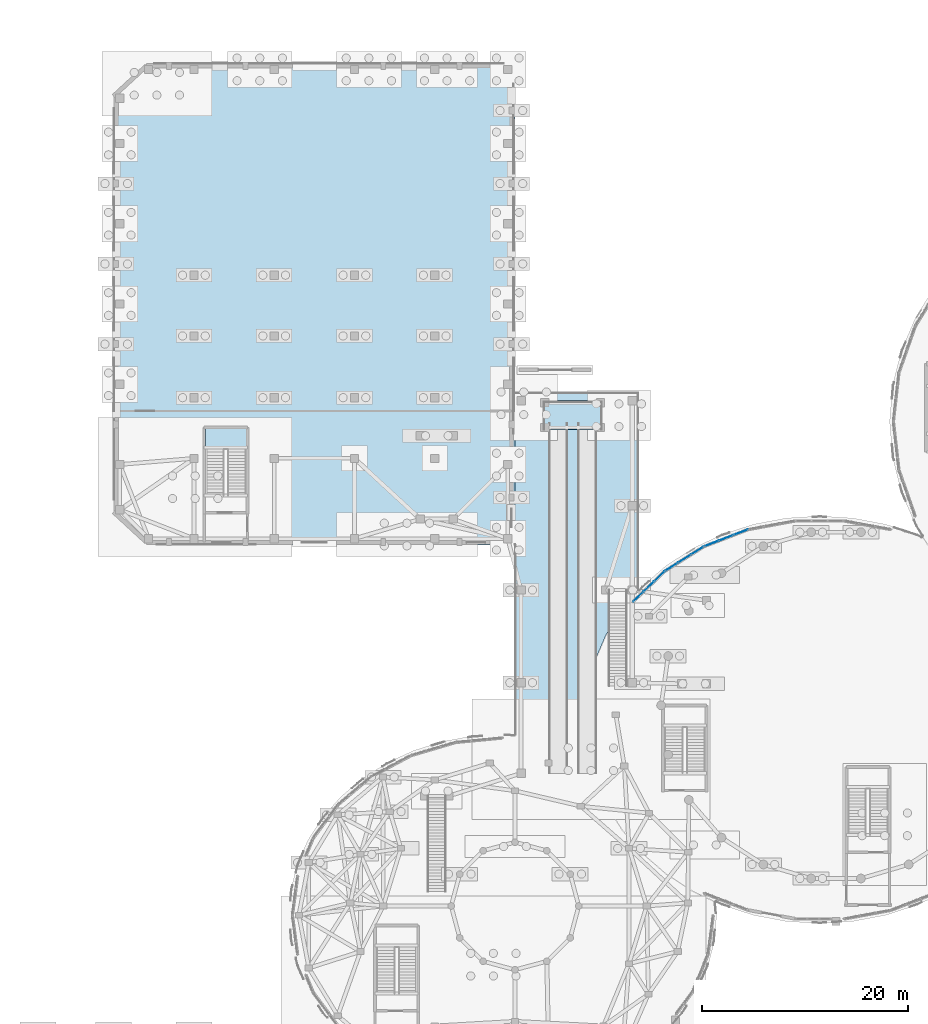
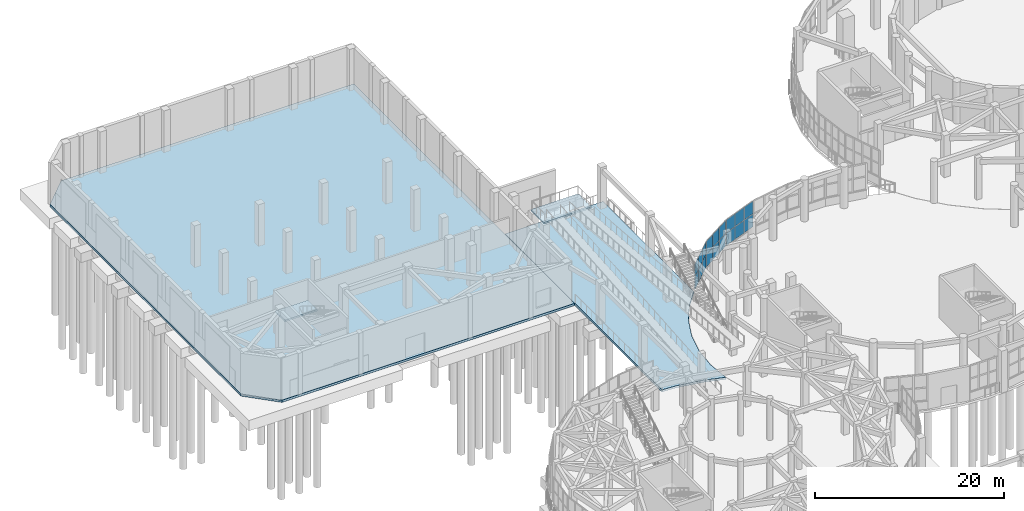
# One storey, part 64 of 96: 18 plates, 4 slabs, 5 elements without a shape of their own.
"""IFC4 building model written with IfcOpenShell, lengths in metres."""

from ifc_helpers import new_model, si_unit, direction, frame, origin, origin_2d, place, context, subcontext, project, spatial, polyline, rectangle, outline, extrude, material, layer, layer_set, type_object, element, aggregate, save


model = new_model("IFC4")

# Units and contexts
model_context = context("Model", 3, precision=1e-05, world=origin(), true_north=direction((0.0, 1.0)))
body_context = subcontext(model_context, "Body", "Model", "MODEL_VIEW")
ifc_project = project(units=[si_unit("LENGTHUNIT", "METRE"), si_unit("AREAUNIT", "SQUARE_METRE"), si_unit("VOLUMEUNIT", "CUBIC_METRE"), si_unit("PLANEANGLEUNIT", "RADIAN"), si_unit("MASSUNIT", "GRAM", prefix="KILO")], contexts=[model_context])

# Site, building, storey
site_placement = place(None, origin())
site = spatial("IfcSite", under=ifc_project, at=site_placement, CompositionType="ELEMENT")
building_placement = place(site_placement, origin())
building = spatial("IfcBuilding", under=site, at=building_placement, Name="Pelvatis Terrace Science Centre", CompositionType="ELEMENT")
storey_placement = place(building_placement, origin())
storey = spatial("IfcBuildingStorey", under=building, at=storey_placement, Name="L00", CompositionType="ELEMENT", Elevation=0.0)

# Curtain wall, plates
ifc_material_1 = material(Name="Bronze-anodised aluminium and laminated glass", Category="aluminium")
ifc_layer_1 = layer(ifc_material_1, 0.199951171875)
ifc_layer_set_1 = layer_set([ifc_layer_1], Name="Bronze-anodised aluminium and laminated glass")
curtain_wall_type = type_object("IfcCurtainWallType", Name="CW-RIBBON-B", PredefinedType="NOTDEFINED", material=ifc_layer_set_1)
curtain_wall_1_placement = place(storey_placement, origin())
curtain_wall_1 = element("IfcCurtainWall", 1, at=curtain_wall_1_placement, inside=storey, type_object=curtain_wall_type, Name="Ribbon curtain wall CW-048 (L00)", PredefinedType="NOTDEFINED")
ifc_material_2 = material(Name="Low-e laminated solar-control double glazing", Category="glass")
ifc_layer_2 = layer(ifc_material_2, 0.031982421875)
ifc_layer_set_2 = layer_set([ifc_layer_2], Name="Low-e laminated solar-control double glazing")
plate_type = type_object("IfcPlateType", Name="CWP-IGU-32", PredefinedType="CURTAIN_PANEL", material=ifc_layer_set_2)
plate_1_placement = place(storey_placement, frame((68.73291015625, 71.41650390625, 1.0849609375), z_axis=(0.0, 0.0, 1.0), x_axis=(-0.933000823352, -0.359874233065, 0.0)))
plate_1 = element("IfcPlate", 2, at=plate_1_placement, type_object=plate_type, Name="CW-048 panel 1.1", PredefinedType="CURTAIN_PANEL", context=body_context, shape_type="SweptSolid", body=[
    extrude(rectangle(XDim=1.434326171875, YDim=0.031982421875, at=origin_2d()), origin(), (0.0, 0.0, 1.0), 1.62255859375),
])
plate_2_placement = place(storey_placement, frame((68.73291015625, 71.41650390625, 2.7724609375), z_axis=(0.0, 0.0, 1.0), x_axis=(-0.933000823352, -0.359874233065, 0.0)))
plate_2 = element("IfcPlate", 3, at=plate_2_placement, type_object=plate_type, Name="CW-048 panel 1.2", PredefinedType="CURTAIN_PANEL", context=body_context, shape_type="SweptSolid", body=[
    extrude(rectangle(XDim=1.434326171875, YDim=0.031982421875, at=origin_2d()), origin(), (0.0, 0.0, 1.0), 1.62255859375),
])
plate_3_placement = place(storey_placement, frame((67.31884765625, 70.87109375, 1.0849609375), z_axis=(0.0, 0.0, 1.0), x_axis=(-0.933000823352, -0.359874233065, 0.0)))
plate_3 = element("IfcPlate", 4, at=plate_3_placement, type_object=plate_type, Name="CW-048 panel 2.1", PredefinedType="CURTAIN_PANEL", context=body_context, shape_type="SweptSolid", body=[
    extrude(rectangle(XDim=1.466796875, YDim=0.031982421875, at=origin_2d()), origin(), (0.0, 0.0, 1.0), 1.62255859375),
])
plate_4_placement = place(storey_placement, frame((67.31884765625, 70.87109375, 2.7724609375), z_axis=(0.0, 0.0, 1.0), x_axis=(-0.933000823352, -0.359874233065, 0.0)))
plate_4 = element("IfcPlate", 5, at=plate_4_placement, type_object=plate_type, Name="CW-048 panel 2.2", PredefinedType="CURTAIN_PANEL", context=body_context, shape_type="SweptSolid", body=[
    extrude(rectangle(XDim=1.466796875, YDim=0.031982421875, at=origin_2d()), origin(), (0.0, 0.0, 1.0), 1.62255859375),
])
plate_5_placement = place(storey_placement, frame((65.90478515625, 70.32568359375, 1.0849609375), z_axis=(0.0, 0.0, 1.0), x_axis=(-0.933000823352, -0.359874233065, 0.0)))
plate_5 = element("IfcPlate", 6, at=plate_5_placement, type_object=plate_type, Name="CW-048 panel 3.1", PredefinedType="CURTAIN_PANEL", context=body_context, shape_type="SweptSolid", body=[
    extrude(rectangle(XDim=1.434326171875, YDim=0.031982421875, at=origin_2d()), origin(), (0.0, 0.0, 1.0), 1.62255859375),
])
plate_6_placement = place(storey_placement, frame((65.90478515625, 70.32568359375, 2.7724609375), z_axis=(0.0, 0.0, 1.0), x_axis=(-0.933000823352, -0.359874233065, 0.0)))
plate_6 = element("IfcPlate", 7, at=plate_6_placement, type_object=plate_type, Name="CW-048 panel 3.2", PredefinedType="CURTAIN_PANEL", context=body_context, shape_type="SweptSolid", body=[
    extrude(rectangle(XDim=1.434326171875, YDim=0.031982421875, at=origin_2d()), origin(), (0.0, 0.0, 1.0), 1.62255859375),
])
aggregate(curtain_wall_1, [plate_1, plate_2, plate_3, plate_4, plate_5, plate_6])

curtain_wall_2_placement = place(storey_placement, origin())
curtain_wall_2 = element("IfcCurtainWall", 8, at=curtain_wall_2_placement, inside=storey, type_object=curtain_wall_type, Name="Ribbon curtain wall CW-049 (L00)", PredefinedType="NOTDEFINED")
plate_7_placement = place(storey_placement, frame((64.5283203125, 69.63720703125, 1.0849609375), z_axis=(0.0, 0.0, 1.0), x_axis=(-0.846303552317, -0.532700945499, 0.0)))
plate_7 = element("IfcPlate", 9, at=plate_7_placement, type_object=plate_type, Name="CW-049 panel 1.1", PredefinedType="CURTAIN_PANEL", context=body_context, shape_type="SweptSolid", body=[
    extrude(rectangle(XDim=1.39794921875, YDim=0.031982421875, at=origin_2d()), origin(), (0.0, 0.0, 1.0), 1.62255859375),
])
plate_8_placement = place(storey_placement, frame((64.5283203125, 69.63720703125, 2.7724609375), z_axis=(0.0, 0.0, 1.0), x_axis=(-0.846303552317, -0.532700945499, 0.0)))
plate_8 = element("IfcPlate", 10, at=plate_8_placement, type_object=plate_type, Name="CW-049 panel 1.2", PredefinedType="CURTAIN_PANEL", context=body_context, shape_type="SweptSolid", body=[
    extrude(rectangle(XDim=1.39794921875, YDim=0.031982421875, at=origin_2d()), origin(), (0.0, 0.0, 1.0), 1.62255859375),
])
plate_9_placement = place(storey_placement, frame((63.276611328125, 68.84912109375, 1.0849609375), z_axis=(0.0, 0.0, 1.0), x_axis=(-0.846303552317, -0.532700945499, 0.0)))
plate_9 = element("IfcPlate", 11, at=plate_9_placement, type_object=plate_type, Name="CW-049 panel 2.1", PredefinedType="CURTAIN_PANEL", context=body_context, shape_type="SweptSolid", body=[
    extrude(rectangle(XDim=1.430419921875, YDim=0.031982421875, at=origin_2d()), origin(), (0.0, 0.0, 1.0), 1.62255859375),
])
plate_10_placement = place(storey_placement, frame((63.276611328125, 68.84912109375, 2.7724609375), z_axis=(0.0, 0.0, 1.0), x_axis=(-0.846303552317, -0.532700945499, 0.0)))
plate_10 = element("IfcPlate", 12, at=plate_10_placement, type_object=plate_type, Name="CW-049 panel 2.2", PredefinedType="CURTAIN_PANEL", context=body_context, shape_type="SweptSolid", body=[
    extrude(rectangle(XDim=1.430419921875, YDim=0.031982421875, at=origin_2d()), origin(), (0.0, 0.0, 1.0), 1.62255859375),
])
plate_11_placement = place(storey_placement, frame((62.024658203125, 68.061279296875, 1.0849609375), z_axis=(0.0, 0.0, 1.0), x_axis=(-0.846303552317, -0.532700945499, 0.0)))
plate_11 = element("IfcPlate", 13, at=plate_11_placement, type_object=plate_type, Name="CW-049 panel 3.1", PredefinedType="CURTAIN_PANEL", context=body_context, shape_type="SweptSolid", body=[
    extrude(rectangle(XDim=1.39794921875, YDim=0.031982421875, at=origin_2d()), origin(), (0.0, 0.0, 1.0), 1.62255859375),
])
plate_12_placement = place(storey_placement, frame((62.024658203125, 68.061279296875, 2.7724609375), z_axis=(0.0, 0.0, 1.0), x_axis=(-0.846303552317, -0.532700945499, 0.0)))
plate_12 = element("IfcPlate", 14, at=plate_12_placement, type_object=plate_type, Name="CW-049 panel 3.2", PredefinedType="CURTAIN_PANEL", context=body_context, shape_type="SweptSolid", body=[
    extrude(rectangle(XDim=1.39794921875, YDim=0.031982421875, at=origin_2d()), origin(), (0.0, 0.0, 1.0), 1.62255859375),
])
aggregate(curtain_wall_2, [plate_7, plate_8, plate_9, plate_10, plate_11, plate_12])

curtain_wall_3_placement = place(storey_placement, origin())
curtain_wall_3 = element("IfcCurtainWall", 15, at=curtain_wall_3_placement, inside=storey, type_object=curtain_wall_type, Name="Ribbon curtain wall CW-050 (L00)", PredefinedType="NOTDEFINED")
plate_13_placement = place(storey_placement, frame((60.8427734375, 67.139404296875, 1.0849609375), z_axis=(0.0, 0.0, 1.0), x_axis=(-0.720582574301, -0.693369132291, 0.0)))
plate_13 = element("IfcPlate", 16, at=plate_13_placement, type_object=plate_type, Name="CW-050 panel 1.1", PredefinedType="CURTAIN_PANEL", context=body_context, shape_type="SweptSolid", body=[
    extrude(rectangle(XDim=1.355224609375, YDim=0.031982421875, at=origin_2d()), origin(), (0.0, 0.0, 1.0), 1.62255859375),
])
plate_14_placement = place(storey_placement, frame((60.8427734375, 67.139404296875, 2.7724609375), z_axis=(0.0, 0.0, 1.0), x_axis=(-0.720582574301, -0.693369132291, 0.0)))
plate_14 = element("IfcPlate", 17, at=plate_14_placement, type_object=plate_type, Name="CW-050 panel 1.2", PredefinedType="CURTAIN_PANEL", context=body_context, shape_type="SweptSolid", body=[
    extrude(rectangle(XDim=1.355224609375, YDim=0.031982421875, at=origin_2d()), origin(), (0.0, 0.0, 1.0), 1.62255859375),
])
plate_15_placement = place(storey_placement, frame((59.807861328125, 66.143310546875, 1.0849609375), z_axis=(0.0, 0.0, 1.0), x_axis=(-0.720582574301, -0.693369132291, 0.0)))
plate_15 = element("IfcPlate", 18, at=plate_15_placement, type_object=plate_type, Name="CW-050 panel 2.1", PredefinedType="CURTAIN_PANEL", context=body_context, shape_type="SweptSolid", body=[
    extrude(rectangle(XDim=1.3876953125, YDim=0.031982421875, at=origin_2d()), origin(), (0.0, 0.0, 1.0), 1.62255859375),
])
plate_16_placement = place(storey_placement, frame((59.807861328125, 66.143310546875, 2.7724609375), z_axis=(0.0, 0.0, 1.0), x_axis=(-0.720582574301, -0.693369132291, 0.0)))
plate_16 = element("IfcPlate", 19, at=plate_16_placement, type_object=plate_type, Name="CW-050 panel 2.2", PredefinedType="CURTAIN_PANEL", context=body_context, shape_type="SweptSolid", body=[
    extrude(rectangle(XDim=1.3876953125, YDim=0.031982421875, at=origin_2d()), origin(), (0.0, 0.0, 1.0), 1.62255859375),
])
plate_17_placement = place(storey_placement, frame((58.772705078125, 65.147216796875, 1.0849609375), z_axis=(0.0, 0.0, 1.0), x_axis=(-0.720582574301, -0.693369132291, 0.0)))
plate_17 = element("IfcPlate", 20, at=plate_17_placement, type_object=plate_type, Name="CW-050 panel 3.1", PredefinedType="CURTAIN_PANEL", context=body_context, shape_type="SweptSolid", body=[
    extrude(rectangle(XDim=1.355224609375, YDim=0.031982421875, at=origin_2d()), origin(), (0.0, 0.0, 1.0), 1.62255859375),
])
plate_18_placement = place(storey_placement, frame((58.772705078125, 65.147216796875, 2.7724609375), z_axis=(0.0, 0.0, 1.0), x_axis=(-0.720582574301, -0.693369132291, 0.0)))
plate_18 = element("IfcPlate", 21, at=plate_18_placement, type_object=plate_type, Name="CW-050 panel 3.2", PredefinedType="CURTAIN_PANEL", context=body_context, shape_type="SweptSolid", body=[
    extrude(rectangle(XDim=1.355224609375, YDim=0.031982421875, at=origin_2d()), origin(), (0.0, 0.0, 1.0), 1.62255859375),
])
aggregate(curtain_wall_3, [plate_13, plate_14, plate_15, plate_16, plate_17, plate_18])

# Slabs
ifc_material_3 = material(Name="Concrete C35/45", Category="concrete")
ifc_layer_3 = layer(ifc_material_3, 0.2900390625)
ifc_layer_set_3 = layer_set([ifc_layer_3], Name="Concrete C35/45")
slab_type_1 = type_object("IfcSlabType", Name="SLB-BASE-290", PredefinedType="BASESLAB", material=ifc_layer_set_3)
slab_1_placement = place(storey_placement, frame((0.0, 0.0, -0.2900390625)))
element("IfcSlab", 22, at=slab_1_placement, inside=storey, type_object=slab_type_1, Name="L00 Science Theatre stage and foyer slab", PredefinedType="BASESLAB", context=body_context, shape_type="SweptSolid", body=[
    extrude(outline(polyline([(7.800048828125, 73.39990234375), (7.800048828125, 113.800048828125), (11.0, 117.0), (46.800048828125, 117.0), (46.780029296875, 70.199951171875), (11.0, 70.199951171875), (7.800048828125, 73.39990234375)])), origin(), (0.0, 0.0, 1.0), 0.2900390625),
])
ifc_material_4 = material(Name="Concrete C35/45", Category="concrete")
ifc_layer_4 = layer(ifc_material_4, 0.27197265625)
ifc_layer_set_4 = layer_set([ifc_layer_4], Name="Concrete C35/45")
slab_type_2 = type_object("IfcSlabType", Name="SLB-FLR-272", PredefinedType="FLOOR", material=ifc_layer_set_4)
slab_2_placement = place(storey_placement, frame((0.0, 0.0, -0.27197265625)))
element("IfcSlab", 23, at=slab_2_placement, inside=storey, type_object=slab_type_2, Name="L00 Covered Public Science Passage slab", PredefinedType="FLOOR", context=body_context, shape_type="SweptSolid", body=[
    extrude(outline(polyline([(46.800048828125, 85.0), (58.800048828125, 85.0), (58.800048828125, 65.768798828125), (57.203369140625, 63.91650390625), (55.6435546875, 61.435791015625), (54.504638671875, 58.78466796875), (53.8125, 56.02099609375), (53.580078125, 53.20166015625), (53.81591796875, 50.364501953125), (51.463623046875, 51.106689453125), (48.563720703125, 51.640625), (46.800048828125, 51.747314453125), (46.800048828125, 85.0)])), origin(), (0.0, 0.0, 1.0), 0.27197265625),
])

# Ramp, slab
ifc_material_5 = material(Name="Concrete C35/45", Category="concrete")
ramp_placement = place(storey_placement, origin())
ramp = element("IfcRamp", 24, at=ramp_placement, inside=storey, material=ifc_material_5, Name="Accessible Hillside Terrace Ramp RMP-P1", PredefinedType="STRAIGHT_RUN_RAMP")
ifc_material_6 = material(Name="Concrete C35/45", Category="concrete")
ifc_layer_5 = layer(ifc_material_6, 0.215087890625)
ifc_layer_set_5 = layer_set([ifc_layer_5], Name="Concrete C35/45")
slab_type_3 = type_object("IfcSlabType", Name="SLB-LND-215", PredefinedType="LANDING", material=ifc_layer_set_5)
slab_3_placement = place(storey_placement, frame((0.0, 0.0, 2.485107421875)))
slab_3 = element("IfcSlab", 25, at=slab_3_placement, inside=storey, type_object=slab_type_3, Name="Accessible ramp intermediate landing", PredefinedType="LANDING", context=body_context, shape_type="SweptSolid", body=[
    extrude(outline(polyline([(49.5, 81.39990234375), (55.300048828125, 81.39990234375), (55.300048828125, 84.199951171875), (49.5, 84.199951171875), (49.5, 81.39990234375)])), origin(), (0.0, 0.0, 1.0), 0.21484375),
])
aggregate(ramp, [slab_3])

# Stair, slab
ifc_material_7 = material(Name="Concrete C35/45", Category="concrete")
stair_type = type_object("IfcStairType", Name="STR-2RUN-1650-54", PredefinedType="TWO_STRAIGHT_RUN_STAIR", material=ifc_material_7)
stair_placement = place(storey_placement, origin())
stair = element("IfcStair", 26, at=stair_placement, inside=storey, type_object=stair_type, Name="Protected exit stair ST-07-L00", PredefinedType="TWO_STRAIGHT_RUN_STAIR")
slab_4_placement = place(storey_placement, frame((0.0, 0.0, 2.485107421875)))
slab_4 = element("IfcSlab", 27, at=slab_4_placement, type_object=slab_type_3, Name="ST-07-L00 landing 1", PredefinedType="LANDING", context=body_context, shape_type="SweptSolid", body=[
    extrude(outline(polyline([(16.7099609375, 79.5), (20.68994140625, 79.5), (20.68994140625, 81.489990234375), (16.7099609375, 81.489990234375), (16.7099609375, 79.5)])), origin(), (0.0, 0.0, 1.0), 0.21484375),
])
aggregate(stair, [slab_4])

save(model, "model.ifc")
